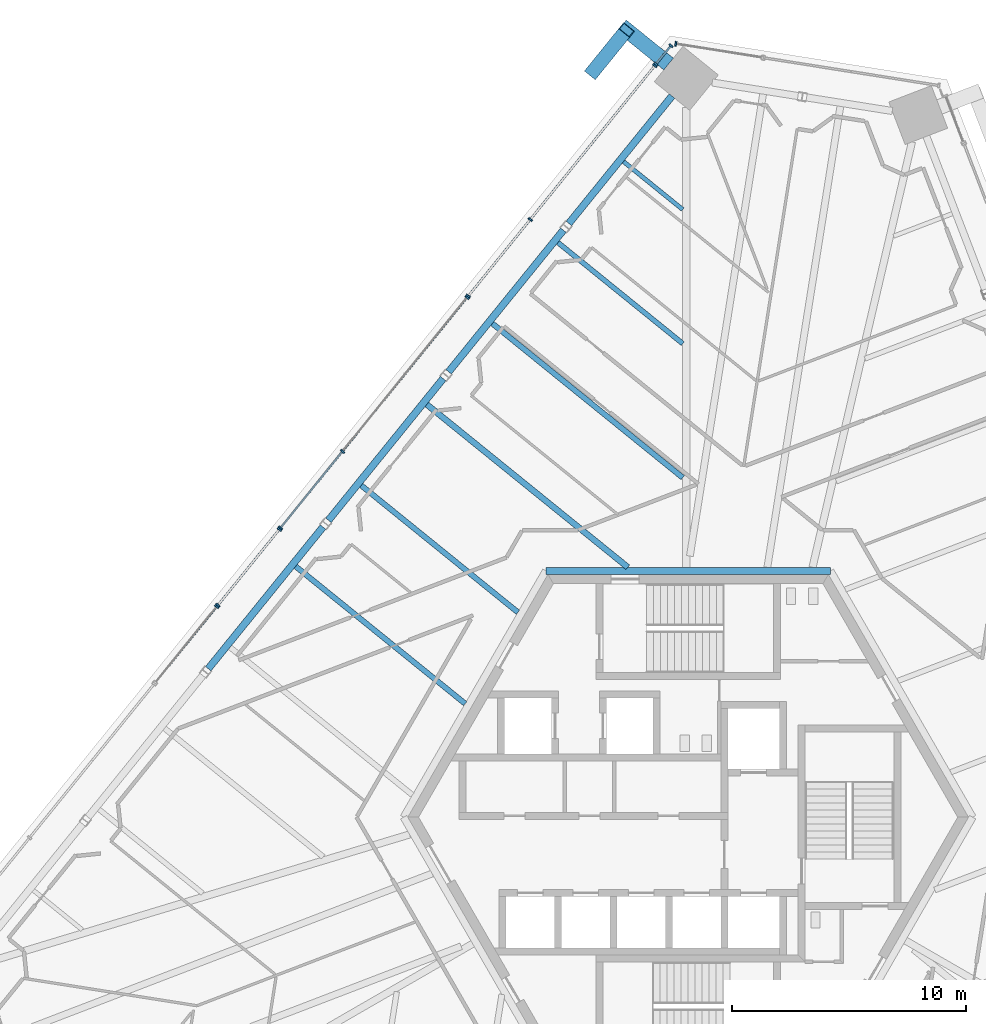
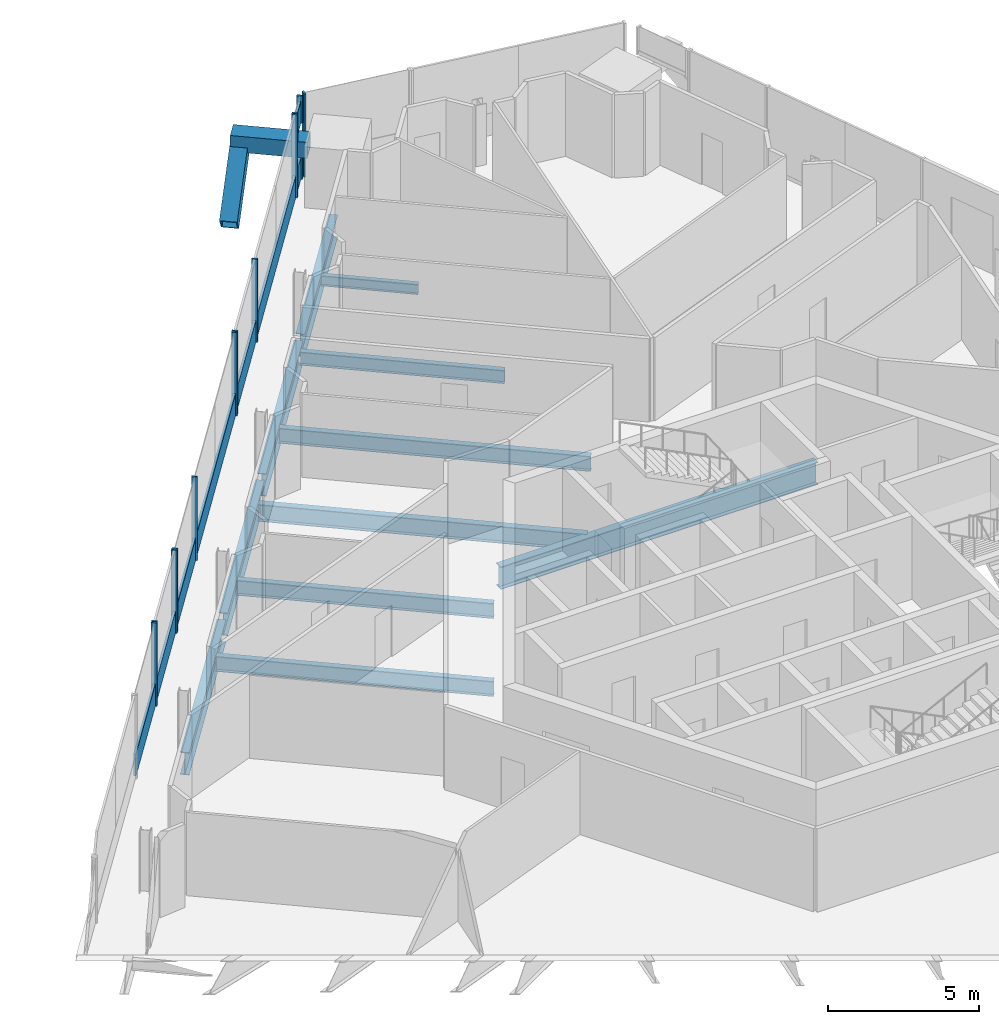
# One storey, part 8 of 23: 24 members, 11 beams, 7 elements without a shape of their own.
"""IFC4 building model written with IfcOpenShell, lengths in metres."""

import ifcopenshell
import ifcopenshell.guid

model = None  # the IFC model being written
_history = None  # IfcOwnerHistory: only IFC2X3 demands one
_inside = {}  # id of a spatial element -> (the spatial element, [elements in it])
_under = {}  # id of a project, library or spatial element -> (it, [spatial elements below it])
_declared = {}  # id of a project -> (the project, [libraries it declares])
_typed = {}  # id of a type object -> (the type object, [elements of that type])
_made_of = {}  # id of a material, layer set ... -> (it, [elements and type objects made of it])


def new_model(schema):
    """Start an empty IFC model of exactly this schema.

    Asked for "IFC4X3", IfcOpenShell would pick the latest addendum, in which some entities
    have other attributes; the version numbers below select the first issue.
    IFC2X3 requires an IfcOwnerHistory on every rooted entity: one is made here for all.
    """
    global model, _history
    if schema == "IFC4X3":
        model = ifcopenshell.file(schema_version=(4, 3, 0, 0))
    else:
        model = ifcopenshell.file(schema=schema)
    _inside.clear()
    _under.clear()
    _declared.clear()
    _typed.clear()
    _made_of.clear()
    _history = None
    if model.schema == "IFC2X3":
        org = make("IfcOrganization", Name="unknown")
        user = make(
            "IfcPersonAndOrganization",
            ThePerson=make("IfcPerson", FamilyName="unknown"),
            TheOrganization=org,
        )
        app = make(
            "IfcApplication",
            ApplicationDeveloper=org,
            Version="unknown",
            ApplicationFullName="unknown",
            ApplicationIdentifier="unknown",
        )
        _history = make(
            "IfcOwnerHistory",
            OwningUser=user,
            OwningApplication=app,
            ChangeAction="ADDED",
            CreationDate=0,
        )
    return model


def make(cls, **values):
    """One entity of the class cls with the attributes given. An attribute that is None is left unset."""
    return model.create_entity(
        cls, **{name: value for name, value in values.items() if value is not None}
    )


def rooted(cls, **values):
    """An entity with a GlobalId (a new one), such as an element, a storey or a relation."""
    return make(cls, GlobalId=ifcopenshell.guid.new(), OwnerHistory=_history, **values)


def si_unit(unit_type, name, prefix=None):
    """IfcSIUnit, for example si_unit("LENGTHUNIT", "METRE", prefix="MILLI")."""
    return make("IfcSIUnit", UnitType=unit_type, Prefix=prefix, Name=name)


def assignment(units):
    """IfcUnitAssignment: the units of a project."""
    return None if units is None else make("IfcUnitAssignment", Units=units)


def point(xyz):
    """IfcCartesianPoint."""
    return None if xyz is None else make("IfcCartesianPoint", Coordinates=xyz)


def direction(xyz):
    """IfcDirection."""
    return None if xyz is None else make("IfcDirection", DirectionRatios=xyz)


def frame(location, z_axis=None, x_axis=None):
    """IfcAxis2Placement3D, a coordinate frame: its origin and axes. An axis left out is left unset."""
    return make(
        "IfcAxis2Placement3D",
        Location=point(location),
        Axis=direction(z_axis),
        RefDirection=direction(x_axis),
    )


def frame_2d(location, x_axis=None):
    """IfcAxis2Placement2D, a coordinate frame in the plane: its origin and x axis."""
    return make(
        "IfcAxis2Placement2D", Location=point(location), RefDirection=direction(x_axis)
    )


def origin():
    """The frame at (0, 0, 0) with its axes left unset."""
    return frame((0.0, 0.0, 0.0))


def origin_2d():
    """The frame at (0, 0) in the plane with its x axis left unset."""
    return frame_2d((0.0, 0.0))


def place(relative_to, where):
    """IfcLocalPlacement: puts the frame where relative to a parent placement (None: the world)."""
    return make(
        "IfcLocalPlacement", PlacementRelTo=relative_to, RelativePlacement=where
    )


def context(
    kind, dimensions, precision=None, world=None, true_north=None, identifier=None
):
    """IfcGeometricRepresentationContext, for example the 3D "Model" context."""
    return make(
        "IfcGeometricRepresentationContext",
        ContextIdentifier=identifier,
        ContextType=kind,
        CoordinateSpaceDimension=dimensions,
        Precision=precision,
        WorldCoordinateSystem=world,
        TrueNorth=true_north,
    )


def subcontext(parent, identifier, kind, view, scale=None):
    """IfcGeometricRepresentationSubContext, for example "Body" below "Model"."""
    return make(
        "IfcGeometricRepresentationSubContext",
        ContextIdentifier=identifier,
        ContextType=kind,
        ParentContext=parent,
        TargetScale=scale,
        TargetView=view,
    )


def project(units=None, contexts=None):
    """IfcProject with its units and contexts."""
    return rooted(
        "IfcProject",
        Name="project",
        RepresentationContexts=contexts,
        UnitsInContext=assignment(units),
    )


def spatial(cls, under=None, at=None, **own):
    """A site, building, storey or space (cls), placed at a placement, below another one or the project."""
    s = rooted(cls, ObjectPlacement=at, **own)
    if under is not None:
        _under.setdefault(under.id(), (under, []))[1].append(s)
    return s


def profile(cls, at=None, kind="AREA", **sizes):
    """A parametric profile (cls). Its sizes go by their IFC names, for example OverallWidth=200.0."""
    return make(cls, ProfileType=kind, Position=at, **sizes)


def rectangle(**sizes):
    """IfcRectangleProfileDef."""
    return profile("IfcRectangleProfileDef", **sizes)


def hollow_rectangle(**sizes):
    """IfcRectangleHollowProfileDef."""
    return profile("IfcRectangleHollowProfileDef", **sizes)


def i_section(**sizes):
    """IfcIShapeProfileDef."""
    return profile("IfcIShapeProfileDef", **sizes)


def extrude(swept, where, along, depth):
    """IfcExtrudedAreaSolid: the profile swept, set in the frame where, extruded along a direction by depth."""
    return make(
        "IfcExtrudedAreaSolid",
        SweptArea=swept,
        Position=where,
        ExtrudedDirection=direction(along),
        Depth=depth,
    )


def shape(context_of_items, identifier, shape_type, items):
    """IfcShapeRepresentation: the items that make up one representation, for example the "Body"."""
    return make(
        "IfcShapeRepresentation",
        ContextOfItems=context_of_items,
        RepresentationIdentifier=identifier,
        RepresentationType=shape_type,
        Items=items,
    )


def source(mapping_origin, context_of_items, identifier, shape_type, items):
    """IfcRepresentationMap: a shape defined once, which mapped items show again and again."""
    return make(
        "IfcRepresentationMap",
        MappingOrigin=mapping_origin,
        MappedRepresentation=shape(context_of_items, identifier, shape_type, items),
    )


def transform(
    local_origin,
    x_axis=None,
    y_axis=None,
    z_axis=None,
    scale=None,
    scale2=None,
    scale3=None,
    uniform=True,
):
    """IfcCartesianTransformationOperator3D, or its non-uniform kind. x_axis, y_axis, z_axis: its Axis1, 2, 3."""
    if uniform:
        return make(
            "IfcCartesianTransformationOperator3D",
            Axis1=direction(x_axis),
            Axis2=direction(y_axis),
            LocalOrigin=point(local_origin),
            Scale=scale,
            Axis3=direction(z_axis),
        )
    return make(
        "IfcCartesianTransformationOperator3DnonUniform",
        Axis1=direction(x_axis),
        Axis2=direction(y_axis),
        LocalOrigin=point(local_origin),
        Scale=scale,
        Axis3=direction(z_axis),
        Scale2=scale2,
        Scale3=scale3,
    )


def mapped(mapping_source, mapping_target):
    """IfcMappedItem: shows the shape of a source again, moved by a transform."""
    return make(
        "IfcMappedItem", MappingSource=mapping_source, MappingTarget=mapping_target
    )


def material(Name=None, Category=None):
    """IfcMaterial."""
    return make("IfcMaterial", Name=Name, Category=Category)


def material_profile(
    of_material, cross_section, Name=None, Category=None, Priority=None
):
    """IfcMaterialProfile: a cross section and its material."""
    return make(
        "IfcMaterialProfile",
        Name=Name,
        Material=of_material,
        Profile=cross_section,
        Priority=Priority,
        Category=Category,
    )


def profile_set(profiles, Name=None, composite=None):
    """IfcMaterialProfileSet."""
    return make(
        "IfcMaterialProfileSet",
        Name=Name,
        MaterialProfiles=profiles,
        CompositeProfile=composite,
    )


def made_of(thing, what):
    """Note that an element or type object is made of a material, layer set ...; save() writes the relation."""
    if what is not None:
        _made_of.setdefault(what.id(), (what, []))[1].append(thing)
    return thing


def type_object(cls, material=None, **own):
    """A type object (cls), such as IfcWallType, which elements share."""
    return made_of(rooted(cls, **own), material)


def element(
    cls,
    number,
    at=None,
    inside=None,
    cuts=None,
    type_object=None,
    material=None,
    context=None,
    identifier="Body",
    shape_type=None,
    held_by="IfcProductDefinitionShape",
    body=None,
    shapes=None,
    **own,
):
    """One element of the class cls, such as IfcWall. Its Tag is "e" and its number.

    at: its placement. inside: the storey or other place that contains it. cuts: it is an
    opening in that element (IfcRelVoidsElement). A single representation is given by context,
    identifier, shape_type and body (its items); several are given by shapes. held_by: the class
    of the entity that holds the representations. save() writes the other relations.
    """
    e = rooted(cls, Tag="e%d" % number, ObjectPlacement=at, **own)
    if body is not None:
        shapes = [shape(context, identifier, shape_type, body)]
    if shapes is not None:
        e.Representation = make(held_by, Representations=shapes)
    if inside is not None:
        _inside.setdefault(inside.id(), (inside, []))[1].append(e)
    if cuts is not None:
        rooted(
            "IfcRelVoidsElement", RelatingBuildingElement=cuts, RelatedOpeningElement=e
        )
    if type_object is not None:
        _typed.setdefault(type_object.id(), (type_object, []))[1].append(e)
    return made_of(e, material)


def aggregate(whole, parts):
    """IfcRelAggregates: a whole, such as a stair, and the parts it consists of."""
    return rooted("IfcRelAggregates", RelatingObject=whole, RelatedObjects=parts)


def save(model, path):
    """Write the relations noted so far, then the file.

    IfcRelAggregates (storeys below a building ...), IfcRelContainedInSpatialStructure (elements
    in a storey), IfcRelDefinesByType, IfcRelAssociatesMaterial and IfcRelDeclares: one each for
    every whole, place, type object, material and project.
    """
    for whole, parts in _under.values():
        aggregate(whole, parts)
    for where, things in _inside.values():
        rooted(
            "IfcRelContainedInSpatialStructure",
            RelatedElements=things,
            RelatingStructure=where,
        )
    for kind, things in _typed.values():
        rooted("IfcRelDefinesByType", RelatedObjects=things, RelatingType=kind)
    for what, things in _made_of.values():
        rooted("IfcRelAssociatesMaterial", RelatedObjects=things, RelatingMaterial=what)
    for by, libraries in _declared.values():
        rooted("IfcRelDeclares", RelatingContext=by, RelatedDefinitions=libraries)
    model.write(path)


model = new_model("IFC4")

# Units and contexts
model_context = context("Model", 3, precision=1e-05, world=origin(), true_north=direction((0.0, 1.0)))
body_context = subcontext(model_context, "Body", "Model", "MODEL_VIEW")
ifc_project = project(units=[si_unit("LENGTHUNIT", "METRE"), si_unit("AREAUNIT", "SQUARE_METRE"), si_unit("VOLUMEUNIT", "CUBIC_METRE"), si_unit("PLANEANGLEUNIT", "RADIAN"), si_unit("MASSUNIT", "GRAM", prefix="KILO")], contexts=[model_context])

# Site, building, storey
site_placement = place(None, origin())
site = spatial("IfcSite", under=ifc_project, at=site_placement, CompositionType="ELEMENT")
building_placement = place(site_placement, origin())
building = spatial("IfcBuilding", under=site, at=building_placement, Name="Triune Harvest Tower", CompositionType="ELEMENT")
storey_placement = place(building_placement, frame((0.0, 0.0, 171.300048828125)))
storey = spatial("IfcBuildingStorey", under=building, at=storey_placement, Name="L44", CompositionType="ELEMENT", Elevation=171.300048828125)

# Curtain wall, member
ifc_material_1 = material(Name="Aluminium bronze anodised", Category="aluminium")
curtain_wall_type_1 = type_object("IfcCurtainWallType", Name="CW-7 Tower stick curtain wall with insulated spandrel infill", PredefinedType="NOTDEFINED", material=ifc_material_1)
curtain_wall_1_placement = place(storey_placement, origin())
curtain_wall_1 = element("IfcCurtainWall", 1, at=curtain_wall_1_placement, inside=storey, type_object=curtain_wall_type_1, Name="CW-7 B4-F3 L44 run 2201")
ifc_material_2 = material(Name="Aluminium bronze anodised", Category="aluminium")
ifc_material_profile_1 = material_profile(ifc_material_2, rectangle(XDim=0.090087890625, YDim=0.89990234375, at=origin_2d()), Name="TR-1 transom 90 x 900")
ifc_profile_set_1 = profile_set([ifc_material_profile_1], Name="Aluminium bronze anodised")
member_type_1 = type_object("IfcMemberType", Name="TR-1 transom 90 x 900", PredefinedType="USERDEFINED", material=ifc_profile_set_1)
member_1_placement = place(storey_placement, frame((-17.518798828125, 12.292724609375, 0.449951171875), z_axis=(-0.629324796849, -0.77714239369, 0.0), x_axis=(0.77714239369, -0.629324796849, 0.0)))
member_1 = element("IfcMember", 2, at=member_1_placement, type_object=member_type_1, Name="CW-7 transom B4-F3 2201.1", ObjectType="TRANSOM", PredefinedType="USERDEFINED", context=body_context, shape_type="SweptSolid", body=[
    extrude(rectangle(XDim=0.090087890625, YDim=0.89990234375, at=origin_2d()), origin(), (0.0, 0.0, 1.0), 4.10595703125),
])

ifc_material_3 = material(Name="Aluminium bronze anodised", Category="aluminium")
curtain_wall_type_2 = type_object("IfcCurtainWallType", Name="CW-1 Tower stick curtain wall", PredefinedType="NOTDEFINED", material=ifc_material_3)
curtain_wall_2_placement = place(storey_placement, origin())
curtain_wall_2 = element("IfcCurtainWall", 3, at=curtain_wall_2_placement, inside=storey, type_object=curtain_wall_type_2, Name="CW-1 B4-F3 L44 run 3201")
member_2_placement = place(storey_placement, frame((-20.197021484375, 8.985107421875, 0.449951171875), z_axis=(-0.629360705727, -0.777113313543, 0.0), x_axis=(0.777113313543, -0.629360705727, 0.0)))
member_2 = element("IfcMember", 4, at=member_2_placement, type_object=member_type_1, Name="CW-1 transom B4-F3 3201.1", ObjectType="TRANSOM", PredefinedType="USERDEFINED", context=body_context, shape_type="SweptSolid", body=[
    extrude(rectangle(XDim=0.090087890625, YDim=0.89990234375, at=origin_2d()), origin(), (0.0, 0.0, 1.0), 4.106201171875),
])

# Beams
ifc_material_4 = material(Name="Steel ASTM A992 Gr 50", Category="steel")
ifc_material_profile_2 = material_profile(ifc_material_4, i_section(OverallWidth=0.3046875, OverallDepth=0.914306640625, WebThickness=0.0166015625, FlangeThickness=0.02587890625, at=origin_2d()), Name="W36x160")
ifc_profile_set_2 = profile_set([ifc_material_profile_2], Name="Steel ASTM A992 Gr 50")
beam_type_1 = type_object("IfcBeamType", Name="CG-1 Core ring girder W36x160", PredefinedType="BEAM", material=ifc_profile_set_2)
shared_shape_1 = source(origin(), body_context, "Body", "SweptSolid", [
    extrude(i_section(OverallWidth=0.3046875, OverallDepth=0.914306640625, WebThickness=0.0166015625, FlangeThickness=0.02587890625, at=origin_2d()), origin(), (0.0, 0.0, 1.0), 12.17578125),
])
beam_1_placement = place(storey_placement, frame((6.087890625, 10.544677734375, -0.6171875), z_axis=(-1.0, 0.0, 0.0), x_axis=(0.0, -1.0, 0.0)))
element("IfcBeam", 5, at=beam_1_placement, inside=storey, type_object=beam_type_1, Name="beam/L44/CG2", PredefinedType="BEAM", context=body_context, shape_type="MappedRepresentation", body=[
    mapped(shared_shape_1, transform((0.0, 0.0, 0.0), scale=1.0)),
])
ifc_material_5 = material(Name="Steel ASTM A992 Gr 50", Category="steel")
ifc_material_profile_3 = material_profile(ifc_material_5, i_section(OverallWidth=0.3046875, OverallDepth=0.914306640625, WebThickness=0.0166015625, FlangeThickness=0.02587890625, at=origin_2d()), Name="W36x160")
ifc_profile_set_3 = profile_set([ifc_material_profile_3], Name="Steel ASTM A992 Gr 50")
beam_type_2 = type_object("IfcBeamType", Name="SB-1 Spandrel beam W36x160", PredefinedType="SPANDREL", material=ifc_profile_set_3)
shared_shape_2 = source(origin(), body_context, "Body", "SweptSolid", [
    extrude(i_section(OverallWidth=0.3046875, OverallDepth=0.914306640625, WebThickness=0.0166015625, FlangeThickness=0.02587890625, at=origin_2d()), origin(), (0.0, 0.0, 1.0), 7.013427734375),
])
beam_2_placement = place(storey_placement, frame((-0.69287109375, 30.8642578125, -0.6171875), z_axis=(-0.629311381255, -0.777153257358, 0.0), x_axis=(0.777153257358, -0.629311381255, 0.0)))
element("IfcBeam", 6, at=beam_2_placement, inside=storey, type_object=beam_type_2, Name="beam/L44/SB9", PredefinedType="SPANDREL", context=body_context, shape_type="MappedRepresentation", body=[
    mapped(shared_shape_2, transform((0.0, 0.0, 0.0), scale=1.0)),
])
shared_shape_3 = source(origin(), body_context, "Body", "SweptSolid", [
    extrude(i_section(OverallWidth=0.3046875, OverallDepth=0.914306640625, WebThickness=0.0166015625, FlangeThickness=0.02587890625, at=origin_2d()), origin(), (0.0, 0.0, 1.0), 7.801513671875),
])
for number, where, z_axis, x_axis, name in (
    (7, (-5.34130859375, 25.12353515625, -0.6171875), (-0.629351256413, -0.777120966163, 0.0), (0.777120966163, -0.629351256413, 0.0), "beam/L44/SB10"),
    (8, (-10.486083984375, 18.7705078125, -0.6171875), (-0.629317051779, -0.777148665533, 0.0), (0.777148665533, -0.629317051779, 0.0), "beam/L44/SB11"),
    (9, (-15.630859375, 12.417236328125, -0.6171875), (-0.629317051779, -0.777148665533, 0.0), (0.777148665533, -0.629317051779, 0.0), "beam/L44/SB12"),
):
    element("IfcBeam", number, at=place(storey_placement, frame(where, z_axis=z_axis, x_axis=x_axis)), inside=storey, type_object=beam_type_2, Name=name, PredefinedType="SPANDREL", context=body_context, shape_type="MappedRepresentation", body=[
        mapped(shared_shape_3, transform((0.0, 0.0, 0.0), scale=1.0)),
    ])
ifc_material_6 = material(Name="Steel ASTM A992 Gr 50", Category="steel")
ifc_material_profile_4 = material_profile(ifc_material_6, i_section(OverallWidth=0.22900390625, OverallDepth=0.612060546875, WebThickness=0.011962890625, FlangeThickness=0.01953125, at=origin_2d()), Name="W24x84")
ifc_profile_set_4 = profile_set([ifc_material_profile_4], Name="Steel ASTM A992 Gr 50")
beam_type_3 = type_object("IfcBeamType", Name="JT-3 Floor joist W24x84", PredefinedType="JOIST", material=ifc_profile_set_4)
shared_shape_4 = source(origin(), body_context, "Body", "SweptSolid", [
    extrude(i_section(OverallWidth=0.22900390625, OverallDepth=0.612060546875, WebThickness=0.011962890625, FlangeThickness=0.01953125, at=origin_2d()), origin(), (0.0, 0.0, 1.0), 10.482666015625),
])
beam_3_placement = place(storey_placement, frame((-8.37939453125, 21.1298828125, -0.466064453125), z_axis=(0.777144521909, -0.62932216874, 0.0), x_axis=(0.62932216874, 0.777144521909, 0.0)))
element("IfcBeam", 10, at=beam_3_placement, inside=storey, type_object=beam_type_3, Name="beam/L44/JT15", PredefinedType="JOIST", context=body_context, shape_type="MappedRepresentation", body=[
    mapped(shared_shape_4, transform((0.0, 0.0, 0.0), scale=1.0)),
])
ifc_material_7 = material(Name="Steel ASTM A992 Gr 50", Category="steel")
ifc_material_profile_5 = material_profile(ifc_material_7, i_section(OverallWidth=0.180908203125, OverallDepth=0.41650390625, WebThickness=0.010986328125, FlangeThickness=0.01806640625, at=origin_2d()), Name="W16x57")
ifc_profile_set_5 = profile_set([ifc_material_profile_5], Name="Steel ASTM A992 Gr 50")
beam_type_4 = type_object("IfcBeamType", Name="JT-1 Floor joist W16x57", PredefinedType="JOIST", material=ifc_profile_set_5)
shared_shape_5 = source(origin(), body_context, "Body", "SweptSolid", [
    extrude(i_section(OverallWidth=0.180908203125, OverallDepth=0.41650390625, WebThickness=0.010986328125, FlangeThickness=0.01806640625, at=origin_2d()), origin(), (0.0, 0.0, 1.0), 3.2607421875),
])
beam_4_placement = place(storey_placement, frame((-2.76708984375, 28.060546875, -0.368408203125), z_axis=(0.777166403411, -0.6292951465, 0.0), x_axis=(0.6292951465, 0.777166403411, 0.0)))
element("IfcBeam", 11, at=beam_4_placement, inside=storey, type_object=beam_type_4, Name="beam/L44/JT13", PredefinedType="JOIST", context=body_context, shape_type="MappedRepresentation", body=[
    mapped(shared_shape_5, transform((0.0, 0.0, 0.0), scale=1.0)),
])
ifc_material_8 = material(Name="Steel ASTM A992 Gr 50", Category="steel")
ifc_material_profile_6 = material_profile(ifc_material_8, i_section(OverallWidth=0.2099609375, OverallDepth=0.535888671875, WebThickness=0.010986328125, FlangeThickness=0.017333984375, at=origin_2d()), Name="W21x68")
ifc_profile_set_6 = profile_set([ifc_material_profile_6], Name="Steel ASTM A992 Gr 50")
beam_type_5 = type_object("IfcBeamType", Name="JT-2 Floor joist W21x68", PredefinedType="JOIST", material=ifc_profile_set_6)
shared_shape_6 = source(origin(), body_context, "Body", "SweptSolid", [
    extrude(i_section(OverallWidth=0.2099609375, OverallDepth=0.535888671875, WebThickness=0.010986328125, FlangeThickness=0.017333984375, at=origin_2d()), origin(), (0.0, 0.0, 1.0), 6.87158203125),
])
beam_5_placement = place(storey_placement, frame((-5.572998046875, 24.59521484375, -0.427978515625), z_axis=(0.777135642445, -0.629333133755, 0.0), x_axis=(0.629333133755, 0.777135642445, 0.0)))
element("IfcBeam", 12, at=beam_5_placement, inside=storey, type_object=beam_type_5, Name="beam/L44/JT14", PredefinedType="JOIST", context=body_context, shape_type="MappedRepresentation", body=[
    mapped(shared_shape_6, transform((0.0, 0.0, 0.0), scale=1.0)),
])
ifc_material_9 = material(Name="Steel ASTM A992 Gr 50", Category="steel")
ifc_material_profile_7 = material_profile(ifc_material_9, i_section(OverallWidth=0.253662109375, OverallDepth=0.683349609375, WebThickness=0.012451171875, FlangeThickness=0.01904296875, at=origin_2d()), Name="W27x94")
ifc_profile_set_7 = profile_set([ifc_material_profile_7], Name="Steel ASTM A992 Gr 50")
beam_type_6 = type_object("IfcBeamType", Name="JT-4 Floor joist W27x94", PredefinedType="JOIST", material=ifc_profile_set_7)
shared_shape_7 = source(origin(), body_context, "Body", "SweptSolid", [
    extrude(i_section(OverallWidth=0.253662109375, OverallDepth=0.683349609375, WebThickness=0.012451171875, FlangeThickness=0.01904296875, at=origin_2d()), origin(), (0.0, 0.0, 1.0), 11.0712890625),
])
beam_6_placement = place(storey_placement, frame((-11.185546875, 17.66455078125, -0.501708984375), z_axis=(0.777139586487, -0.6293282634, 0.0), x_axis=(0.6293282634, 0.777139586487, 0.0)))
element("IfcBeam", 13, at=beam_6_placement, inside=storey, type_object=beam_type_6, Name="beam/L44/JT16", PredefinedType="JOIST", context=body_context, shape_type="MappedRepresentation", body=[
    mapped(shared_shape_7, transform((0.0, 0.0, 0.0), scale=1.0)),
])
shared_shape_8 = source(origin(), body_context, "Body", "SweptSolid", [
    extrude(i_section(OverallWidth=0.22900390625, OverallDepth=0.612060546875, WebThickness=0.011962890625, FlangeThickness=0.01953125, at=origin_2d()), origin(), (0.0, 0.0, 1.0), 8.6259765625),
])
beam_7_placement = place(storey_placement, frame((-13.99169921875, 14.19921875, -0.466064453125), z_axis=(0.777146653343, -0.629319536641, 0.0), x_axis=(0.629319536641, 0.777146653343, 0.0)))
element("IfcBeam", 14, at=beam_7_placement, inside=storey, type_object=beam_type_3, Name="beam/L44/JT17", PredefinedType="JOIST", context=body_context, shape_type="MappedRepresentation", body=[
    mapped(shared_shape_8, transform((0.0, 0.0, 0.0), scale=1.0)),
])
shared_shape_9 = source(origin(), body_context, "Body", "SweptSolid", [
    extrude(i_section(OverallWidth=0.22900390625, OverallDepth=0.612060546875, WebThickness=0.011962890625, FlangeThickness=0.01953125, at=origin_2d()), origin(), (0.0, 0.0, 1.0), 9.33251953125),
])
beam_8_placement = place(storey_placement, frame((-16.798095703125, 10.73388671875, -0.466064453125), z_axis=(0.777149214732, -0.629316373568, 0.0), x_axis=(0.629316373568, 0.777149214732, 0.0)))
element("IfcBeam", 15, at=beam_8_placement, inside=storey, type_object=beam_type_3, Name="beam/L44/JT18", PredefinedType="JOIST", context=body_context, shape_type="MappedRepresentation", body=[
    mapped(shared_shape_9, transform((0.0, 0.0, 0.0), scale=1.0)),
])

# Members
ifc_material_10 = material(Name="Steel ASTM A572 Gr 50", Category="steel")
ifc_material_profile_8 = material_profile(ifc_material_10, hollow_rectangle(XDim=0.60009765625, YDim=0.60009765625, WallThickness=0.0400390625, at=origin_2d()), Name="Box 600x600x40")
ifc_profile_set_8 = profile_set([ifc_material_profile_8], Name="Steel ASTM A572 Gr 50")
member_type_2 = type_object("IfcMemberType", Name="BR-2 Brace Box 600x600x40", PredefinedType="BRACE", material=ifc_profile_set_8)
shared_shape_10 = source(origin(), body_context, "Body", "SweptSolid", [
    extrude(hollow_rectangle(XDim=0.60009765625, YDim=0.60009765625, WallThickness=0.0400390625, at=origin_2d()), origin(), (0.0, 0.0, 1.0), 2.832763671875),
])
member_3_placement = place(storey_placement, frame((-4.101318359375, 31.880859375, 0.0), z_axis=(0.517625746105, 0.639146275909, 0.568819501214), x_axis=(-0.777113078269, 0.629360996236, 0.0)))
element("IfcMember", 16, at=member_3_placement, inside=storey, type_object=member_type_2, Name="brace/B4-F3/d2/10", PredefinedType="BRACE", context=body_context, shape_type="MappedRepresentation", body=[
    mapped(shared_shape_10, transform((0.0, 0.0, 0.0), scale=1.0)),
])
ifc_material_11 = material(Name="Steel ASTM A572 Gr 50", Category="steel")
ifc_material_profile_9 = material_profile(ifc_material_11, hollow_rectangle(XDim=0.64990234375, YDim=0.64990234375, WallThickness=0.070068359375, at=origin_2d()), Name="Box 650x650x70")
ifc_profile_set_9 = profile_set([ifc_material_profile_9], Name="Steel ASTM A572 Gr 50")
member_type_3 = type_object("IfcMemberType", Name="BS-1 Brace stub Box 650x650x70", PredefinedType="STRUT", material=ifc_profile_set_9)
shared_shape_11 = source(origin(), body_context, "Body", "SweptSolid", [
    extrude(hollow_rectangle(XDim=0.64990234375, YDim=0.64990234375, WallThickness=0.070068359375, at=origin_2d()), origin(), (0.0, 0.0, 1.0), 2.59375),
])
member_4_placement = place(storey_placement, frame((-0.8369140625, 32.235595703125, 1.875), z_axis=(-0.777126486899, 0.629344439366, 0.0), x_axis=(-0.629344439366, -0.777126486899, 0.0)))
element("IfcMember", 17, at=member_4_placement, inside=storey, type_object=member_type_3, Name="brace/B4-F3/stub4", PredefinedType="STRUT", context=body_context, shape_type="MappedRepresentation", body=[
    mapped(shared_shape_11, transform((0.0, 0.0, 0.0), scale=1.0)),
])

# Curtain wall, members
curtain_wall_3_placement = place(storey_placement, origin())
curtain_wall_3 = element("IfcCurtainWall", 18, at=curtain_wall_3_placement, inside=storey, type_object=curtain_wall_type_2, Name="CW-1 B4-F3 L44 run 101")
ifc_material_12 = material(Name="Aluminium bronze anodised", Category="aluminium")
ifc_material_profile_10 = material_profile(ifc_material_12, rectangle(XDim=0.199951171875, YDim=0.074951171875, at=origin_2d()), Name="MU-1 mullion 75 x 200")
ifc_profile_set_10 = profile_set([ifc_material_profile_10], Name="Aluminium bronze anodised")
member_type_4 = type_object("IfcMemberType", Name="MU-1 mullion 75 x 200", PredefinedType="MULLION", material=ifc_profile_set_10)
shared_shape_12 = source(origin(), body_context, "Body", "SweptSolid", [
    extrude(rectangle(XDim=0.199951171875, YDim=0.074951171875, at=origin_2d()), origin(), (0.0, 0.0, 1.0), 1.114990234375),
])
member_5_placement = place(storey_placement, frame((-0.734130859375, 33.02001953125, 2.260009765625), z_axis=(0.0, 0.0, 1.0), x_axis=(0.777128085535, -0.629342465334, 0.0)))
member_5 = element("IfcMember", 19, at=member_5_placement, type_object=member_type_4, Name="CW-1 mullion B4-F3 101.1", PredefinedType="MULLION", context=body_context, shape_type="MappedRepresentation", body=[
    mapped(shared_shape_12, transform((0.0, 0.0, 0.0), scale=1.0)),
])
member_6_placement = place(storey_placement, frame((-1.377197265625, 32.225830078125, 2.260009765625), z_axis=(0.0, 0.0, 1.0), x_axis=(0.777128085535, -0.629342465334, 0.0)))
member_6 = element("IfcMember", 20, at=member_6_placement, type_object=member_type_4, Name="CW-1 mullion B4-F3 101.2", PredefinedType="MULLION", context=body_context, shape_type="MappedRepresentation", body=[
    mapped(shared_shape_12, transform((0.0, 0.0, 0.0), scale=1.0)),
])

# Curtain wall, member
curtain_wall_4_placement = place(storey_placement, origin())
curtain_wall_4 = element("IfcCurtainWall", 21, at=curtain_wall_4_placement, inside=storey, type_object=curtain_wall_type_2, Name="CW-1 B4-F2 L44 run 1001")
shared_shape_13 = source(origin(), body_context, "Body", "SweptSolid", [
    extrude(rectangle(XDim=0.199951171875, YDim=0.074951171875, at=origin_2d()), origin(), (0.0, 0.0, 1.0), 3.375),
])
member_7_placement = place(storey_placement, frame((-0.528076171875, 33.09912109375, 0.0), z_axis=(0.0, 0.0, 1.0), x_axis=(-0.156444259503, -0.987686789255, 0.0)))
member_7 = element("IfcMember", 22, at=member_7_placement, type_object=member_type_4, Name="CW-1 mullion B4-F2 1001.2", PredefinedType="MULLION", context=body_context, shape_type="MappedRepresentation", body=[
    mapped(shared_shape_13, transform((0.0, 0.0, 0.0), scale=1.0)),
])
aggregate(curtain_wall_4, [member_7])

# Curtain wall, members
curtain_wall_5_placement = place(storey_placement, origin())
curtain_wall_5 = element("IfcCurtainWall", 23, at=curtain_wall_5_placement, inside=storey, type_object=curtain_wall_type_1, Name="CW-7 B4-F3 L44 run 201")
member_8_placement = place(storey_placement, frame((-1.42431640625, 32.16748046875, 0.0), z_axis=(0.0, 0.0, 1.0), x_axis=(0.777146919225, -0.629319208303, 0.0)))
member_8 = element("IfcMember", 24, at=member_8_placement, type_object=member_type_4, Name="CW-7 mullion B4-F3 201.1", PredefinedType="MULLION", context=body_context, shape_type="MappedRepresentation", body=[
    mapped(shared_shape_13, transform((0.0, 0.0, 0.0), scale=1.0)),
])
member_9_placement = place(storey_placement, frame((-6.757568359375, 25.58154296875, 0.0), z_axis=(0.0, 0.0, 1.0), x_axis=(0.777146919225, -0.629319208303, 0.0)))
member_9 = element("IfcMember", 25, at=member_9_placement, type_object=member_type_4, Name="CW-7 mullion B4-F3 201.3", PredefinedType="MULLION", context=body_context, shape_type="MappedRepresentation", body=[
    mapped(shared_shape_13, transform((0.0, 0.0, 0.0), scale=1.0)),
])
member_10_placement = place(storey_placement, frame((-9.41259765625, 22.302978515625, 0.0), z_axis=(0.0, 0.0, 1.0), x_axis=(0.777146919225, -0.629319208303, 0.0)))
member_10 = element("IfcMember", 26, at=member_10_placement, type_object=member_type_4, Name="CW-7 mullion B4-F3 201.4", PredefinedType="MULLION", context=body_context, shape_type="MappedRepresentation", body=[
    mapped(shared_shape_13, transform((0.0, 0.0, 0.0), scale=1.0)),
])

curtain_wall_6_placement = place(storey_placement, origin())
curtain_wall_6 = element("IfcCurtainWall", 27, at=curtain_wall_6_placement, inside=storey, type_object=curtain_wall_type_2, Name="CW-1 B4-F3 L44 run 1201")
member_11_placement = place(storey_placement, frame((-9.459716796875, 22.244873046875, 0.0), z_axis=(0.0, 0.0, 1.0), x_axis=(0.777143088845, -0.629323938413, 0.0)))
member_11 = element("IfcMember", 28, at=member_11_placement, type_object=member_type_4, Name="CW-1 mullion B4-F3 1201.1", PredefinedType="MULLION", context=body_context, shape_type="MappedRepresentation", body=[
    mapped(shared_shape_13, transform((0.0, 0.0, 0.0), scale=1.0)),
])
member_12_placement = place(storey_placement, frame((-14.79296875, 15.65869140625, 0.0), z_axis=(0.0, 0.0, 1.0), x_axis=(0.777143088845, -0.629323938413, 0.0)))
member_12 = element("IfcMember", 29, at=member_12_placement, type_object=member_type_4, Name="CW-1 mullion B4-F3 1201.3", PredefinedType="MULLION", context=body_context, shape_type="MappedRepresentation", body=[
    mapped(shared_shape_13, transform((0.0, 0.0, 0.0), scale=1.0)),
])
member_13_placement = place(storey_placement, frame((-17.447998046875, 12.380126953125, 0.0), z_axis=(0.0, 0.0, 1.0), x_axis=(0.777143088845, -0.629323938413, 0.0)))
member_13 = element("IfcMember", 30, at=member_13_placement, type_object=member_type_4, Name="CW-1 mullion B4-F3 1201.4", PredefinedType="MULLION", context=body_context, shape_type="MappedRepresentation", body=[
    mapped(shared_shape_13, transform((0.0, 0.0, 0.0), scale=1.0)),
])

# Member
member_14_placement = place(storey_placement, frame((-17.4951171875, 12.322021484375, 0.0), z_axis=(0.0, 0.0, 1.0), x_axis=(0.777150749619, -0.629314478116, 0.0)))
member_14 = element("IfcMember", 31, at=member_14_placement, type_object=member_type_4, Name="CW-7 mullion B4-F3 2201.1", PredefinedType="MULLION", context=body_context, shape_type="MappedRepresentation", body=[
    mapped(shared_shape_13, transform((0.0, 0.0, 0.0), scale=1.0)),
])

member_15_placement = place(storey_placement, frame((-20.126220703125, 9.07275390625, 0.0), z_axis=(0.0, 0.0, 1.0), x_axis=(0.777150749619, -0.629314478116, 0.0)))
member_15 = element("IfcMember", 32, at=member_15_placement, type_object=member_type_4, Name="CW-7 mullion B4-F3 2201.2", PredefinedType="MULLION", context=body_context, shape_type="MappedRepresentation", body=[
    mapped(shared_shape_13, transform((0.0, 0.0, 0.0), scale=1.0)),
])

aggregate(curtain_wall_1, [member_14, member_15, member_1])

member_16_placement = place(storey_placement, frame((-20.173583984375, 9.014404296875, 0.0), z_axis=(0.0, 0.0, 1.0), x_axis=(0.77713925847, -0.629328668459, 0.0)))
member_16 = element("IfcMember", 33, at=member_16_placement, type_object=member_type_4, Name="CW-1 mullion B4-F3 3201.1", PredefinedType="MULLION", context=body_context, shape_type="MappedRepresentation", body=[
    mapped(shared_shape_13, transform((0.0, 0.0, 0.0), scale=1.0)),
])

aggregate(curtain_wall_2, [member_16, member_2])

# Curtain wall, members
curtain_wall_7_placement = place(storey_placement, origin())
curtain_wall_7 = element("IfcCurtainWall", 34, at=curtain_wall_7_placement, inside=storey, type_object=curtain_wall_type_1, Name="CW-7 B4-F3 L44 run 1")
shared_shape_14 = source(origin(), body_context, "Body", "SweptSolid", [
    extrude(rectangle(XDim=0.199951171875, YDim=0.074951171875, at=origin_2d()), origin(), (0.0, 0.0, 1.0), 1.489990234375),
])
member_17_placement = place(storey_placement, frame((-0.734130859375, 33.02001953125, 0.0), z_axis=(0.0, 0.0, 1.0), x_axis=(0.777128085535, -0.629342465334, 0.0)))
member_17 = element("IfcMember", 35, at=member_17_placement, type_object=member_type_4, Name="CW-7 mullion B4-F3 1.1", PredefinedType="MULLION", context=body_context, shape_type="MappedRepresentation", body=[
    mapped(shared_shape_14, transform((0.0, 0.0, 0.0), scale=1.0)),
])
member_18_placement = place(storey_placement, frame((-1.377197265625, 32.225830078125, 0.0), z_axis=(0.0, 0.0, 1.0), x_axis=(0.777128085535, -0.629342465334, 0.0)))
member_18 = element("IfcMember", 36, at=member_18_placement, type_object=member_type_4, Name="CW-7 mullion B4-F3 1.2", PredefinedType="MULLION", context=body_context, shape_type="MappedRepresentation", body=[
    mapped(shared_shape_14, transform((0.0, 0.0, 0.0), scale=1.0)),
])
shared_shape_15 = source(origin(), body_context, "Body", "SweptSolid", [
    extrude(rectangle(XDim=0.090087890625, YDim=0.89990234375, at=origin_2d()), origin(), (0.0, 0.0, 1.0), 0.94677734375),
])
member_19_placement = place(storey_placement, frame((-0.7578125, 32.99072265625, 0.449951171875), z_axis=(-0.629213065152, -0.777232859986, 0.0), x_axis=(0.777232859986, -0.629213065152, 0.0)))
member_19 = element("IfcMember", 37, at=member_19_placement, type_object=member_type_1, Name="CW-7 transom B4-F3 1.1", ObjectType="TRANSOM", PredefinedType="USERDEFINED", context=body_context, shape_type="MappedRepresentation", body=[
    mapped(shared_shape_15, transform((0.0, 0.0, 0.0), scale=1.0)),
])
aggregate(curtain_wall_7, [member_17, member_18, member_19])

# Member
member_20_placement = place(storey_placement, frame((-0.7578125, 32.99072265625, 2.7099609375), z_axis=(-0.629213065152, -0.777232859986, 0.0), x_axis=(0.777232859986, -0.629213065152, 0.0)))
member_20 = element("IfcMember", 38, at=member_20_placement, type_object=member_type_1, Name="CW-1 transom B4-F3 101.1", ObjectType="TRANSOM", PredefinedType="USERDEFINED", context=body_context, shape_type="MappedRepresentation", body=[
    mapped(shared_shape_15, transform((0.0, 0.0, 0.0), scale=1.0)),
])

aggregate(curtain_wall_3, [member_5, member_6, member_20])

shared_shape_16 = source(origin(), body_context, "Body", "SweptSolid", [
    extrude(rectangle(XDim=0.090087890625, YDim=0.89990234375, at=origin_2d()), origin(), (0.0, 0.0, 1.0), 8.399658203125),
])
member_21_placement = place(storey_placement, frame((-1.447998046875, 32.138427734375, 0.449951171875), z_axis=(-0.629320294861, -0.777146039349, 0.0), x_axis=(0.777146039349, -0.629320294861, 0.0)))
member_21 = element("IfcMember", 39, at=member_21_placement, type_object=member_type_1, Name="CW-7 transom B4-F3 201.1", ObjectType="TRANSOM", PredefinedType="USERDEFINED", context=body_context, shape_type="MappedRepresentation", body=[
    mapped(shared_shape_16, transform((0.0, 0.0, 0.0), scale=1.0)),
])

member_22_placement = place(storey_placement, frame((-9.4833984375, 22.215576171875, 0.449951171875), z_axis=(-0.629320294861, -0.777146039349, 0.0), x_axis=(0.777146039349, -0.629320294861, 0.0)))
member_22 = element("IfcMember", 40, at=member_22_placement, type_object=member_type_1, Name="CW-1 transom B4-F3 1201.1", ObjectType="TRANSOM", PredefinedType="USERDEFINED", context=body_context, shape_type="MappedRepresentation", body=[
    mapped(shared_shape_16, transform((0.0, 0.0, 0.0), scale=1.0)),
])

shared_shape_17 = source(origin(), body_context, "Body", "SweptSolid", [
    extrude(rectangle(XDim=0.090087890625, YDim=0.89990234375, at=origin_2d()), origin(), (0.0, 0.0, 1.0), 4.1435546875),
])
member_23_placement = place(storey_placement, frame((-6.78125, 25.55224609375, 0.449951171875), z_axis=(-0.629347378883, -0.777124106365, 0.0), x_axis=(0.777124106365, -0.629347378883, 0.0)))
member_23 = element("IfcMember", 41, at=member_23_placement, type_object=member_type_1, Name="CW-7 transom B4-F3 201.2", ObjectType="TRANSOM", PredefinedType="USERDEFINED", context=body_context, shape_type="MappedRepresentation", body=[
    mapped(shared_shape_17, transform((0.0, 0.0, 0.0), scale=1.0)),
])

aggregate(curtain_wall_5, [member_8, member_9, member_10, member_21, member_23])

member_24_placement = place(storey_placement, frame((-14.816650390625, 15.629638671875, 0.449951171875), z_axis=(-0.629318562069, -0.777147442533, 0.0), x_axis=(0.777147442533, -0.629318562069, 0.0)))
member_24 = element("IfcMember", 42, at=member_24_placement, type_object=member_type_1, Name="CW-1 transom B4-F3 1201.2", ObjectType="TRANSOM", PredefinedType="USERDEFINED", context=body_context, shape_type="MappedRepresentation", body=[
    mapped(shared_shape_17, transform((0.0, 0.0, 0.0), scale=1.0)),
])

aggregate(curtain_wall_6, [member_11, member_12, member_13, member_22, member_24])

save(model, "model.ifc")
